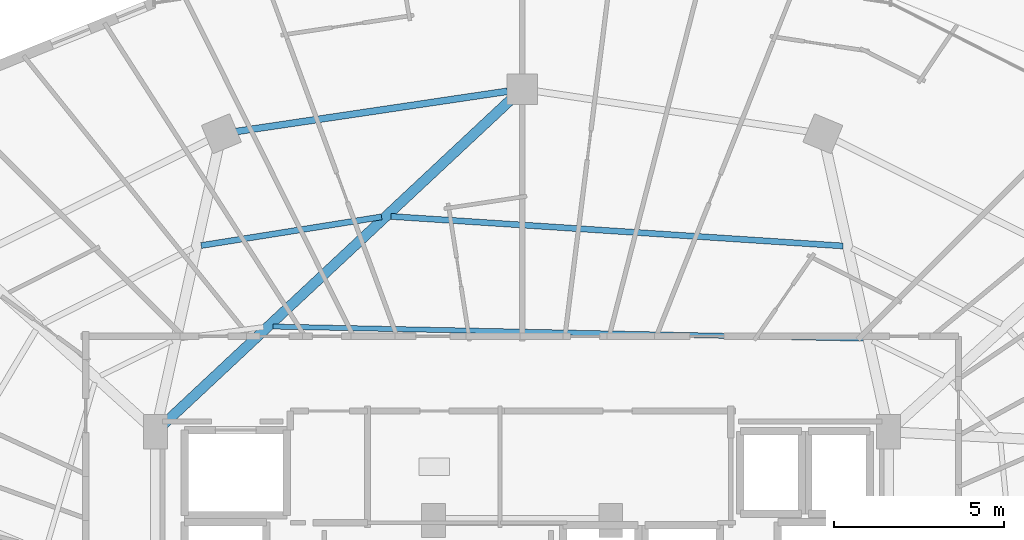
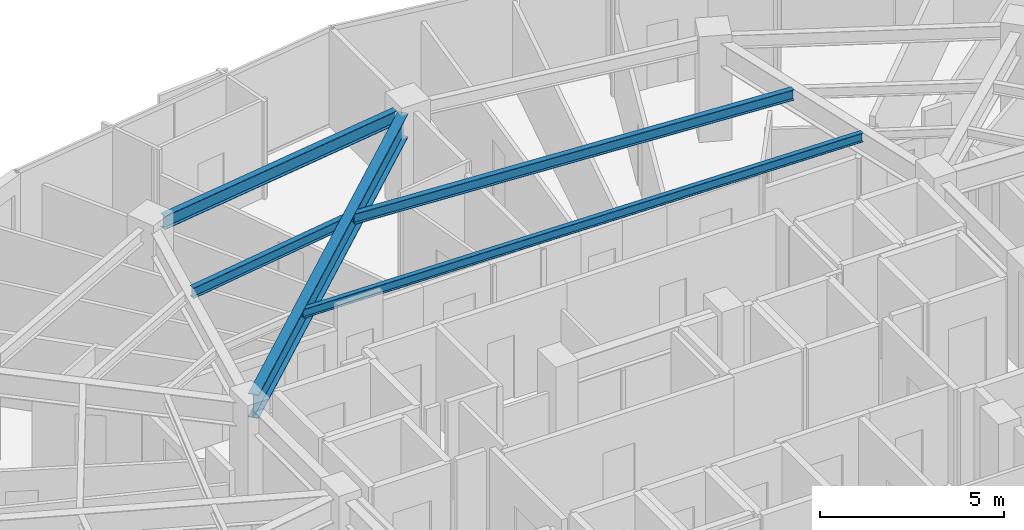
# One storey, part 18 of 34: 5 beams.
"""IFC4 building model written with IfcOpenShell, lengths in metres."""

from ifc_helpers import new_model, si_unit, direction, frame, origin, origin_2d, place, context, subcontext, project, spatial, i_section, extrude, material, material_profile, profile_set, type_object, element, save


model = new_model("IFC4")

# Units and contexts
model_context = context("Model", 3, precision=1e-05, world=origin(), true_north=direction((0.0, 1.0)))
body_context = subcontext(model_context, "Body", "Model", "MODEL_VIEW")
ifc_project = project(units=[si_unit("LENGTHUNIT", "METRE"), si_unit("AREAUNIT", "SQUARE_METRE"), si_unit("VOLUMEUNIT", "CUBIC_METRE"), si_unit("PLANEANGLEUNIT", "RADIAN"), si_unit("MASSUNIT", "GRAM", prefix="KILO")], contexts=[model_context])

# Site, building, storey
site_placement = place(None, origin())
site = spatial("IfcSite", under=ifc_project, at=site_placement, CompositionType="ELEMENT")
building_placement = place(site_placement, origin())
building = spatial("IfcBuilding", under=site, at=building_placement, Name="Vorneva Point Tower", CompositionType="ELEMENT")
storey_placement = place(building_placement, frame((0.0, 0.0, 182.60009765625)))
storey = spatial("IfcBuildingStorey", under=building, at=storey_placement, Name="L49", CompositionType="ELEMENT", Elevation=182.60009765625)

# Beams
ifc_material = material(Name="Steel S355", Category="steel")
ifc_material_profile_1 = material_profile(ifc_material, i_section(OverallWidth=0.300048828125, OverallDepth=0.7880859375, WebThickness=0.014404296875, FlangeThickness=0.02197265625, at=origin_2d()), Name="80Sh1")
ifc_profile_set_1 = profile_set([ifc_material_profile_1], Name="Steel S355")
beam_type_1 = type_object("IfcBeamType", Name="BM-GRD-80Sh1", PredefinedType="USERDEFINED", material=ifc_profile_set_1)
beam_1_placement = place(storey_placement, frame((37.679931640625, 42.90087890625, 2.845947265625), z_axis=(-0.730484767146, -0.682928989696, 0.0), x_axis=(0.682928989696, -0.730484767146, 0.0)))
element("IfcBeam", 1, at=beam_1_placement, inside=storey, type_object=beam_type_1, Name="L49 Radial Primary Girder 05", ObjectType="GIRDER", PredefinedType="USERDEFINED", context=body_context, shape_type="SweptSolid", body=[
    extrude(i_section(OverallWidth=0.300048828125, OverallDepth=0.7880859375, WebThickness=0.014404296875, FlangeThickness=0.02197265625, at=origin_2d()), origin(), (0.0, 0.0, 1.0), 13.938232421875),
])
ifc_material_profile_2 = material_profile(ifc_material, i_section(OverallWidth=0.14892578125, OverallDepth=0.298095703125, WebThickness=0.005615234375, FlangeThickness=0.008056640625, at=origin_2d()), Name="30B1")
ifc_profile_set_2 = profile_set([ifc_material_profile_2], Name="Steel S355")
beam_type_2 = type_object("IfcBeamType", Name="BM-JST-30B1", PredefinedType="JOIST", material=ifc_profile_set_2)
beam_2_placement = place(storey_placement, frame((48.01025390625, 35.879150390625, 3.0908203125), z_axis=(-0.999788862622, 0.020548240227, 0.0), x_axis=(-0.020548240227, -0.999788862622, 0.0)))
element("IfcBeam", 2, at=beam_2_placement, inside=storey, type_object=beam_type_2, Name="L49 Secondary Floor Beam 2.04", PredefinedType="JOIST", context=body_context, shape_type="SweptSolid", body=[
    extrude(i_section(OverallWidth=0.14892578125, OverallDepth=0.298095703125, WebThickness=0.005615234375, FlangeThickness=0.008056640625, at=origin_2d()), origin(), (0.0, 0.0, 1.0), 17.322998046875),
])
ifc_material_profile_3 = material_profile(ifc_material, i_section(OverallWidth=0.174072265625, OverallDepth=0.345947265625, WebThickness=0.006103515625, FlangeThickness=0.009033203125, at=origin_2d()), Name="35B1")
ifc_profile_set_3 = profile_set([ifc_material_profile_3], Name="Steel S355")
beam_type_3 = type_object("IfcBeamType", Name="BM-SEC-35B1", PredefinedType="BEAM", material=ifc_profile_set_3)
beam_3_placement = place(storey_placement, frame((47.41162109375, 38.598876953125, 3.06689453125), z_axis=(-0.997872888723, 0.065189707405, 0.0), x_axis=(-0.065189707405, -0.997872888723, 0.0)))
element("IfcBeam", 3, at=beam_3_placement, inside=storey, type_object=beam_type_3, Name="L49 Secondary Floor Beam 1.04", PredefinedType="BEAM", context=body_context, shape_type="SweptSolid", body=[
    extrude(i_section(OverallWidth=0.174072265625, OverallDepth=0.345947265625, WebThickness=0.006103515625, FlangeThickness=0.009033203125, at=origin_2d()), origin(), (0.0, 0.0, 1.0), 13.28759765625),
])
beam_4_placement = place(storey_placement, frame((33.87841796875, 39.452392578125, 3.06689453125), z_axis=(-0.987609534462, -0.156931218819, 0.0), x_axis=(0.156931218819, -0.987609534462, 0.0)))
element("IfcBeam", 4, at=beam_4_placement, inside=storey, type_object=beam_type_3, Name="L49 Secondary Floor Beam 1.05", PredefinedType="BEAM", context=body_context, shape_type="SweptSolid", body=[
    extrude(i_section(OverallWidth=0.174072265625, OverallDepth=0.345947265625, WebThickness=0.006103515625, FlangeThickness=0.009033203125, at=origin_2d()), origin(), (0.0, 0.0, 1.0), 5.35791015625),
])
ifc_material_profile_4 = material_profile(ifc_material, i_section(OverallWidth=0.198974609375, OverallDepth=0.446044921875, WebThickness=0.008056640625, FlangeThickness=0.011962890625, at=origin_2d()), Name="45B1")
ifc_profile_set_4 = profile_set([ifc_material_profile_4], Name="Steel S355")
beam_type_4 = type_object("IfcBeamType", Name="BM-SPN-45B1", PredefinedType="SPANDREL", material=ifc_profile_set_4)
beam_5_placement = place(storey_placement, frame((37.569580078125, 43.135986328125, 3.016845703125), z_axis=(-0.989165476332, -0.146804837907, 0.0), x_axis=(0.146804837907, -0.989165476332, 0.0)))
element("IfcBeam", 5, at=beam_5_placement, inside=storey, type_object=beam_type_4, Name="L49 Perimeter Spandrel Ring Beam 05", PredefinedType="SPANDREL", context=body_context, shape_type="SweptSolid", body=[
    extrude(i_section(OverallWidth=0.198974609375, OverallDepth=0.446044921875, WebThickness=0.008056640625, FlangeThickness=0.011962890625, at=origin_2d()), origin(), (0.0, 0.0, 1.0), 8.04736328125),
])

save(model, "model.ifc")
